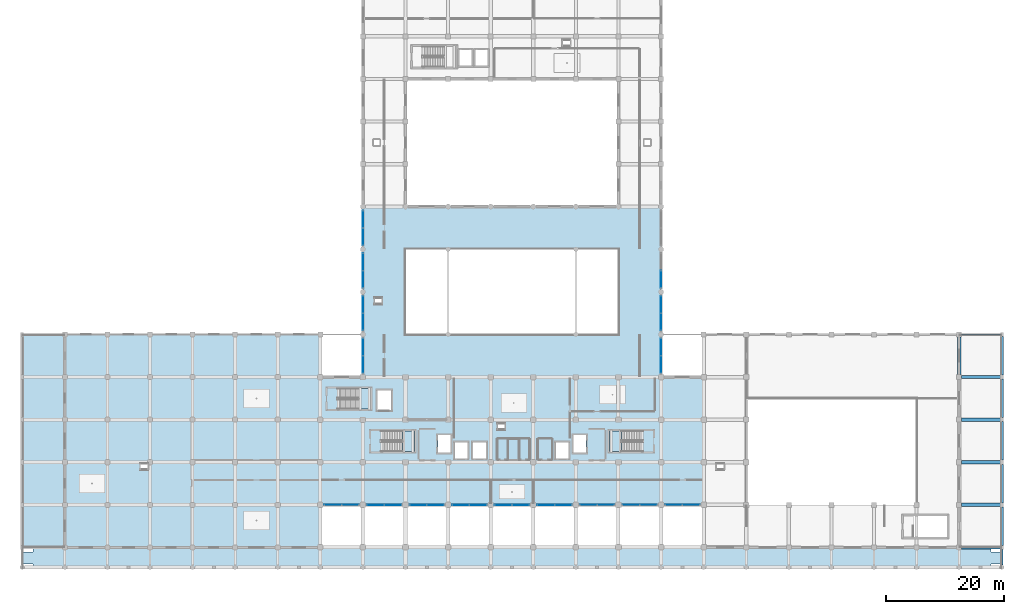
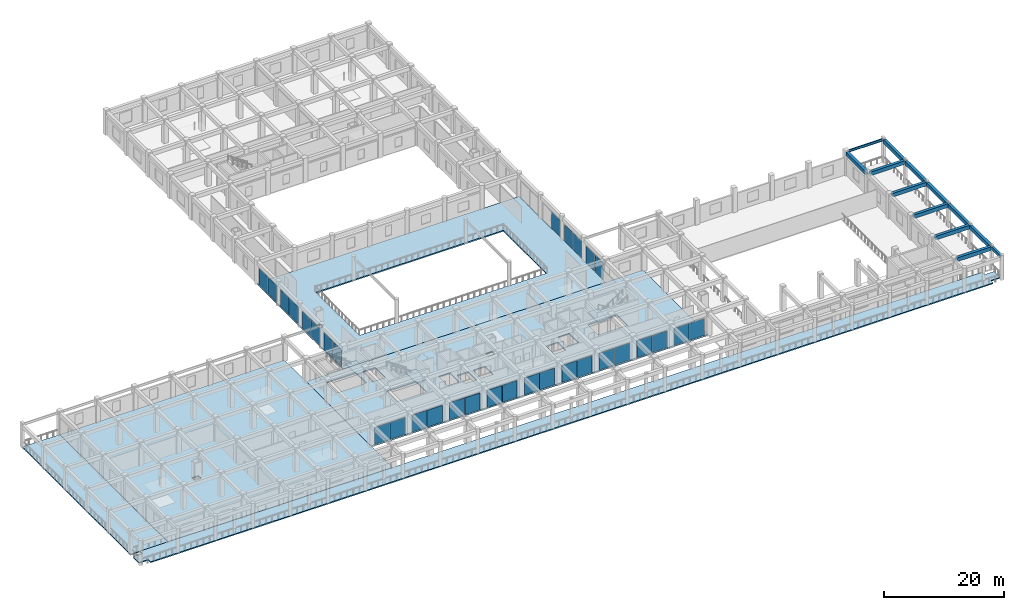
# One storey, part 27 of 54: 31 plates, 13 beams, 8 slabs, 19 elements without a shape of their own.
"""IFC4 building model written with IfcOpenShell, lengths in metres."""

from ifc_helpers import new_model, si_unit, direction, frame, origin, origin_2d, place, context, subcontext, project, spatial, polyline, rectangle, i_section, outline, extrude, material, layer, layer_set, material_profile, profile_set, type_object, element, aggregate, save


model = new_model("IFC4")

# Units and contexts
model_context = context("Model", 3, precision=1e-05, world=origin(), true_north=direction((0.0, 1.0)))
body_context = subcontext(model_context, "Body", "Model", "MODEL_VIEW")
ifc_project = project(units=[si_unit("LENGTHUNIT", "METRE"), si_unit("AREAUNIT", "SQUARE_METRE"), si_unit("VOLUMEUNIT", "CUBIC_METRE"), si_unit("PLANEANGLEUNIT", "RADIAN"), si_unit("MASSUNIT", "GRAM", prefix="KILO")], contexts=[model_context])

# Site, building, storey
site_placement = place(None, origin())
site = spatial("IfcSite", under=ifc_project, at=site_placement, CompositionType="ELEMENT")
building_placement = place(site_placement, origin())
building = spatial("IfcBuilding", under=site, at=building_placement, Name="Kazehaya Institute of Natural Sciences", CompositionType="ELEMENT")
storey_placement = place(building_placement, frame((0.0, 0.0, 5.39990234375)))
storey = spatial("IfcBuildingStorey", under=building, at=storey_placement, Name="L01", CompositionType="ELEMENT", Elevation=5.39990234375)

# Beams
ifc_material_1 = material(Name="Concrete Fc36", Category="concrete")
ifc_material_profile_1 = material_profile(ifc_material_1, rectangle(XDim=0.39990234375, YDim=0.60009765625, at=origin_2d()), Name="RC-400x600")
ifc_profile_set_1 = profile_set([ifc_material_profile_1], Name="Concrete Fc36")
beam_type_1 = type_object("IfcBeamType", Name="BM-B-400x600", PredefinedType="BEAM", material=ifc_profile_set_1)
beam_1_placement = place(storey_placement, frame((169.800048828125, 3.824951171875, 4.47021484375), z_axis=(0.0, 1.0, 0.0), x_axis=(-1.0, 0.0, 0.0)))
element("IfcBeam", 1, at=beam_1_placement, inside=storey, type_object=beam_type_1, Name="L01 primary Y girder BMY-L01-1698-34", PredefinedType="BEAM", context=body_context, shape_type="SweptSolid", body=[
    extrude(rectangle(XDim=0.39990234375, YDim=0.60009765625, at=origin_2d()), origin(), (0.0, 0.0, 1.0), 2.625),
])
ifc_material_profile_2 = material_profile(ifc_material_1, rectangle(XDim=0.550048828125, YDim=0.75, at=origin_2d()), Name="RC-550x750")
ifc_profile_set_2 = profile_set([ifc_material_profile_2], Name="Concrete Fc36")
beam_type_2 = type_object("IfcBeamType", Name="BM-G-550x750", PredefinedType="BEAM", material=ifc_profile_set_2)
for number, where, z_axis, x_axis, name in (
    (2, (163.02490234375, 6.800048828125, 4.39501953125), (1.0, 0.0, 0.0), (0.0, 1.0, 0.0), "L01 primary X girder BMX-L01-1626-68"),
    (3, (163.02490234375, 14.0, 4.39501953125), (1.0, 0.0, 0.0), (0.0, 1.0, 0.0), "L01 primary X girder BMX-L01-1626-140"),
    (4, (163.02490234375, 21.199951171875, 4.39501953125), (1.0, 0.0, 0.0), (0.0, 1.0, 0.0), "L01 primary X girder BMX-L01-1626-212"),
    (5, (163.02490234375, 28.39990234375, 4.39501953125), (1.0, 0.0, 0.0), (0.0, 1.0, 0.0), "L01 primary X girder BMX-L01-1626-284"),
    (6, (163.02490234375, 35.60009765625, 4.39501953125), (1.0, 0.0, 0.0), (0.0, 1.0, 0.0), "L01 primary X girder BMX-L01-1626-356"),
):
    element("IfcBeam", number, at=place(storey_placement, frame(where, z_axis=z_axis, x_axis=x_axis)), inside=storey, type_object=beam_type_2, Name=name, PredefinedType="BEAM", context=body_context, shape_type="SweptSolid", body=[
        extrude(rectangle(XDim=0.550048828125, YDim=0.75, at=origin_2d()), origin(), (0.0, 0.0, 1.0), 6.525146484375),
    ])
beam_2_placement = place(storey_placement, frame((162.60009765625, 36.02490234375, 4.39501953125), z_axis=(0.0, 1.0, 0.0), x_axis=(-1.0, 0.0, 0.0)))
element("IfcBeam", 7, at=beam_2_placement, inside=storey, type_object=beam_type_2, Name="L01 primary Y girder BMY-L01-1626-356", PredefinedType="BEAM", context=body_context, shape_type="SweptSolid", body=[
    extrude(rectangle(XDim=0.550048828125, YDim=0.75, at=origin_2d()), origin(), (0.0, 0.0, 1.0), 6.35009765625),
])
for number, where, z_axis, x_axis, name in (
    (8, (169.800048828125, 7.14990234375, 4.39501953125), (0.0, 1.0, 0.0), (-1.0, 0.0, 0.0), "L01 primary Y girder BMY-L01-1698-68"),
    (9, (169.800048828125, 14.35009765625, 4.39501953125), (0.0, 1.0, 0.0), (-1.0, 0.0, 0.0), "L01 primary Y girder BMY-L01-1698-140"),
    (10, (169.800048828125, 21.550048828125, 4.39501953125), (0.0, 1.0, 0.0), (-1.0, 0.0, 0.0), "L01 primary Y girder BMY-L01-1698-212"),
    (11, (169.800048828125, 28.75, 4.39501953125), (0.0, 1.0, 0.0), (-1.0, 0.0, 0.0), "L01 primary Y girder BMY-L01-1698-284"),
    (12, (169.800048828125, 35.949951171875, 4.39501953125), (0.0, 1.0, 0.0), (-1.0, 0.0, 0.0), "L01 primary Y girder BMY-L01-1698-356"),
):
    element("IfcBeam", number, at=place(storey_placement, frame(where, z_axis=z_axis, x_axis=x_axis)), inside=storey, type_object=beam_type_2, Name=name, PredefinedType="BEAM", context=body_context, shape_type="SweptSolid", body=[
        extrude(rectangle(XDim=0.550048828125, YDim=0.75, at=origin_2d()), origin(), (0.0, 0.0, 1.0), 6.5),
    ])
ifc_material_2 = material(Name="Structural steel SN490B", Category="steel")
ifc_material_profile_3 = material_profile(ifc_material_2, i_section(OverallWidth=0.199951171875, OverallDepth=0.5, WebThickness=0.010009765625, FlangeThickness=0.01611328125, FilletRadius=0.01611328125, at=origin_2d()), Name="H-500x200x10x16")
ifc_profile_set_3 = profile_set([ifc_material_profile_3], Name="Structural steel SN490B")
beam_type_3 = type_object("IfcBeamType", Name="BM-STL-H500", PredefinedType="BEAM", material=ifc_profile_set_3)
beam_3_placement = place(storey_placement, frame((163.02490234375, 42.800048828125, 4.52001953125), z_axis=(1.0, 0.0, 0.0), x_axis=(0.0, 1.0, 0.0)))
element("IfcBeam", 13, at=beam_3_placement, inside=storey, type_object=beam_type_3, Name="L01 primary X girder BMX-L01-1626-428", PredefinedType="BEAM", context=body_context, shape_type="SweptSolid", body=[
    extrude(i_section(OverallWidth=0.199951171875, OverallDepth=0.5, WebThickness=0.010009765625, FlangeThickness=0.01611328125, FilletRadius=0.01611328125, at=origin_2d()), origin(), (0.0, 0.0, 1.0), 6.525146484375),
])

# Curtain wall, plates
ifc_material_3 = material(Name="Aluminium alloy A6063S-T5", Category="aluminium")
curtain_wall_type = type_object("IfcCurtainWallType", Name="CW-SYS-02", PredefinedType="NOTDEFINED", material=ifc_material_3)
curtain_wall_1_placement = place(storey_placement, origin())
curtain_wall_1 = element("IfcCurtainWall", 14, at=curtain_wall_1_placement, inside=storey, type_object=curtain_wall_type, Name="L01 unitised curtain wall CW-L01-039", PredefinedType="NOTDEFINED")
ifc_material_4 = material(Name="Low-E double-glazed vision glass", Category="glass")
ifc_layer_1 = layer(ifc_material_4, 0.030029296875, Name="Low-E double-glazed vision glass", Category="glass")
ifc_layer_set_1 = layer_set([ifc_layer_1], Name="Low-E double-glazed vision glass")
plate_type_1 = type_object("IfcPlateType", Name="CWP-01", PredefinedType="CURTAIN_PANEL", material=ifc_layer_set_1)
plate_1_placement = place(storey_placement, frame((117.264892578125, 14.0, 0.06005859375), z_axis=(0.0, 0.0, 1.0), x_axis=(-1.0, 0.0, 0.0)))
plate_1 = element("IfcPlate", 15, at=plate_1_placement, type_object=plate_type_1, Name="CW02 panel 1.1", PredefinedType="CURTAIN_PANEL", context=body_context, shape_type="SweptSolid", body=[
    extrude(rectangle(XDim=2.8701171875, YDim=0.030029296875, at=origin_2d()), origin(), (0.0, 0.0, 1.0), 3.419921875),
])
plate_2_placement = place(storey_placement, frame((114.3349609375, 14.0, 0.06005859375), z_axis=(0.0, 0.0, 1.0), x_axis=(-1.0, 0.0, 0.0)))
plate_2 = element("IfcPlate", 16, at=plate_2_placement, type_object=plate_type_1, Name="CW02 panel 2.1", PredefinedType="CURTAIN_PANEL", context=body_context, shape_type="SweptSolid", body=[
    extrude(rectangle(XDim=2.8701171875, YDim=0.030029296875, at=origin_2d()), origin(), (0.0, 0.0, 1.0), 3.419921875),
])
aggregate(curtain_wall_1, [plate_1, plate_2])

curtain_wall_2_placement = place(storey_placement, origin())
curtain_wall_2 = element("IfcCurtainWall", 17, at=curtain_wall_2_placement, inside=storey, type_object=curtain_wall_type, Name="L01 unitised curtain wall CW-L01-047", PredefinedType="NOTDEFINED")
plate_3_placement = place(storey_placement, frame((59.6650390625, 14.0, 0.06005859375), z_axis=(0.0, 0.0, 1.0), x_axis=(-1.0, 0.0, 0.0)))
plate_3 = element("IfcPlate", 18, at=plate_3_placement, type_object=plate_type_1, Name="CW02 panel 1.1", PredefinedType="CURTAIN_PANEL", context=body_context, shape_type="SweptSolid", body=[
    extrude(rectangle(XDim=2.8701171875, YDim=0.030029296875, at=origin_2d()), origin(), (0.0, 0.0, 1.0), 3.419921875),
])
plate_4_placement = place(storey_placement, frame((56.735107421875, 14.0, 0.06005859375), z_axis=(0.0, 0.0, 1.0), x_axis=(-1.0, 0.0, 0.0)))
plate_4 = element("IfcPlate", 19, at=plate_4_placement, type_object=plate_type_1, Name="CW02 panel 2.1", PredefinedType="CURTAIN_PANEL", context=body_context, shape_type="SweptSolid", body=[
    extrude(rectangle(XDim=2.8701171875, YDim=0.030029296875, at=origin_2d()), origin(), (0.0, 0.0, 1.0), 3.419921875),
])
aggregate(curtain_wall_2, [plate_3, plate_4])

curtain_wall_3_placement = place(storey_placement, origin())
curtain_wall_3 = element("IfcCurtainWall", 20, at=curtain_wall_3_placement, inside=storey, type_object=curtain_wall_type, Name="L01 unitised curtain wall CW-L01-015", PredefinedType="NOTDEFINED")
ifc_layer_2 = layer(ifc_material_4, 0.0400390625, Name="Low-E double-glazed vision glass", Category="glass")
ifc_layer_set_2 = layer_set([ifc_layer_2], Name="Low-E double-glazed vision glass")
plate_type_2 = type_object("IfcPlateType", Name="CWP-02", PredefinedType="CURTAIN_PANEL", material=ifc_layer_set_2)
plate_5_placement = place(storey_placement, frame((61.800048828125, 37.735107421875, 0.06005859375), z_axis=(0.0, 0.0, 1.0), x_axis=(0.0, 1.0, 0.0)))
plate_5 = element("IfcPlate", 21, at=plate_5_placement, type_object=plate_type_2, Name="CW02 panel 1.1", PredefinedType="CURTAIN_PANEL", context=body_context, shape_type="SweptSolid", body=[
    extrude(rectangle(XDim=2.8701171875, YDim=0.0400390625, at=origin_2d()), origin(), (0.0, 0.0, 1.0), 3.419921875),
])
plate_6_placement = place(storey_placement, frame((61.800048828125, 40.6650390625, 0.06005859375), z_axis=(0.0, 0.0, 1.0), x_axis=(0.0, 1.0, 0.0)))
plate_6 = element("IfcPlate", 22, at=plate_6_placement, type_object=plate_type_2, Name="CW02 panel 2.1", PredefinedType="CURTAIN_PANEL", context=body_context, shape_type="SweptSolid", body=[
    extrude(rectangle(XDim=2.8701171875, YDim=0.0400390625, at=origin_2d()), origin(), (0.0, 0.0, 1.0), 3.419921875),
])
aggregate(curtain_wall_3, [plate_5, plate_6])

curtain_wall_4_placement = place(storey_placement, origin())
curtain_wall_4 = element("IfcCurtainWall", 23, at=curtain_wall_4_placement, inside=storey, type_object=curtain_wall_type, Name="L01 unitised curtain wall CW-L01-040", PredefinedType="NOTDEFINED")
plate_7_placement = place(storey_placement, frame((110.06494140625, 14.0, 0.06005859375), z_axis=(0.0, 0.0, 1.0), x_axis=(-1.0, 0.0, 0.0)))
plate_7 = element("IfcPlate", 24, at=plate_7_placement, type_object=plate_type_2, Name="CW02 panel 1.1", PredefinedType="CURTAIN_PANEL", context=body_context, shape_type="SweptSolid", body=[
    extrude(rectangle(XDim=2.8701171875, YDim=0.0400390625, at=origin_2d()), origin(), (0.0, 0.0, 1.0), 3.419921875),
])
plate_8_placement = place(storey_placement, frame((107.135009765625, 14.0, 0.06005859375), z_axis=(0.0, 0.0, 1.0), x_axis=(-1.0, 0.0, 0.0)))
plate_8 = element("IfcPlate", 25, at=plate_8_placement, type_object=plate_type_2, Name="CW02 panel 2.1", PredefinedType="CURTAIN_PANEL", context=body_context, shape_type="SweptSolid", body=[
    extrude(rectangle(XDim=2.8701171875, YDim=0.0400390625, at=origin_2d()), origin(), (0.0, 0.0, 1.0), 3.419921875),
])
aggregate(curtain_wall_4, [plate_7, plate_8])

curtain_wall_5_placement = place(storey_placement, origin())
curtain_wall_5 = element("IfcCurtainWall", 26, at=curtain_wall_5_placement, inside=storey, type_object=curtain_wall_type, Name="L01 unitised curtain wall CW-L01-016", PredefinedType="NOTDEFINED")
ifc_layer_3 = layer(ifc_material_4, 0.050048828125, Name="Low-E double-glazed vision glass", Category="glass")
ifc_layer_set_3 = layer_set([ifc_layer_3], Name="Low-E double-glazed vision glass")
plate_type_3 = type_object("IfcPlateType", Name="CWP-03", PredefinedType="CURTAIN_PANEL", material=ifc_layer_set_3)
plate_9_placement = place(storey_placement, frame((112.199951171875, 40.6650390625, 0.06005859375), z_axis=(0.0, 0.0, 1.0), x_axis=(0.0, -1.0, 0.0)))
plate_9 = element("IfcPlate", 27, at=plate_9_placement, type_object=plate_type_3, Name="CW02 panel 1.1", PredefinedType="CURTAIN_PANEL", context=body_context, shape_type="SweptSolid", body=[
    extrude(rectangle(XDim=2.8701171875, YDim=0.050048828125, at=origin_2d()), origin(), (0.0, 0.0, 1.0), 3.419921875),
])
plate_10_placement = place(storey_placement, frame((112.199951171875, 37.735107421875, 0.06005859375), z_axis=(0.0, 0.0, 1.0), x_axis=(0.0, -1.0, 0.0)))
plate_10 = element("IfcPlate", 28, at=plate_10_placement, type_object=plate_type_3, Name="CW02 panel 2.1", PredefinedType="CURTAIN_PANEL", context=body_context, shape_type="SweptSolid", body=[
    extrude(rectangle(XDim=2.8701171875, YDim=0.050048828125, at=origin_2d()), origin(), (0.0, 0.0, 1.0), 3.419921875),
])
aggregate(curtain_wall_5, [plate_9, plate_10])

curtain_wall_6_placement = place(storey_placement, origin())
curtain_wall_6 = element("IfcCurtainWall", 29, at=curtain_wall_6_placement, inside=storey, type_object=curtain_wall_type, Name="L01 unitised curtain wall CW-L01-017", PredefinedType="NOTDEFINED")
plate_11_placement = place(storey_placement, frame((61.800048828125, 44.93505859375, 0.06005859375), z_axis=(0.0, 0.0, 1.0), x_axis=(0.0, 1.0, 0.0)))
plate_11 = element("IfcPlate", 30, at=plate_11_placement, type_object=plate_type_3, Name="CW02 panel 1.1", PredefinedType="CURTAIN_PANEL", context=body_context, shape_type="SweptSolid", body=[
    extrude(rectangle(XDim=2.8701171875, YDim=0.050048828125, at=origin_2d()), origin(), (0.0, 0.0, 1.0), 3.419921875),
])
plate_12_placement = place(storey_placement, frame((61.800048828125, 47.864990234375, 0.06005859375), z_axis=(0.0, 0.0, 1.0), x_axis=(0.0, 1.0, 0.0)))
plate_12 = element("IfcPlate", 31, at=plate_12_placement, type_object=plate_type_3, Name="CW02 panel 2.1", PredefinedType="CURTAIN_PANEL", context=body_context, shape_type="SweptSolid", body=[
    extrude(rectangle(XDim=2.8701171875, YDim=0.050048828125, at=origin_2d()), origin(), (0.0, 0.0, 1.0), 3.419921875),
])
aggregate(curtain_wall_6, [plate_11, plate_12])

curtain_wall_7_placement = place(storey_placement, origin())
curtain_wall_7 = element("IfcCurtainWall", 32, at=curtain_wall_7_placement, inside=storey, type_object=curtain_wall_type, Name="L01 unitised curtain wall CW-L01-041", PredefinedType="NOTDEFINED")
plate_13_placement = place(storey_placement, frame((102.864990234375, 14.0, 0.06005859375), z_axis=(0.0, 0.0, 1.0), x_axis=(-1.0, 0.0, 0.0)))
plate_13 = element("IfcPlate", 33, at=plate_13_placement, type_object=plate_type_3, Name="CW02 panel 1.1", PredefinedType="CURTAIN_PANEL", context=body_context, shape_type="SweptSolid", body=[
    extrude(rectangle(XDim=2.8701171875, YDim=0.050048828125, at=origin_2d()), origin(), (0.0, 0.0, 1.0), 3.419921875),
])
plate_14_placement = place(storey_placement, frame((99.93505859375, 14.0, 0.06005859375), z_axis=(0.0, 0.0, 1.0), x_axis=(-1.0, 0.0, 0.0)))
plate_14 = element("IfcPlate", 34, at=plate_14_placement, type_object=plate_type_3, Name="CW02 panel 2.1", PredefinedType="CURTAIN_PANEL", context=body_context, shape_type="SweptSolid", body=[
    extrude(rectangle(XDim=2.8701171875, YDim=0.050048828125, at=origin_2d()), origin(), (0.0, 0.0, 1.0), 3.419921875),
])
aggregate(curtain_wall_7, [plate_13, plate_14])

curtain_wall_8_placement = place(storey_placement, origin())
curtain_wall_8 = element("IfcCurtainWall", 35, at=curtain_wall_8_placement, inside=storey, type_object=curtain_wall_type, Name="L01 unitised curtain wall CW-L01-018", PredefinedType="NOTDEFINED")
ifc_layer_4 = layer(ifc_material_4, 0.06005859375, Name="Low-E double-glazed vision glass", Category="glass")
ifc_layer_set_4 = layer_set([ifc_layer_4], Name="Low-E double-glazed vision glass")
plate_type_4 = type_object("IfcPlateType", Name="CWP-04", PredefinedType="CURTAIN_PANEL", material=ifc_layer_set_4)
plate_15_placement = place(storey_placement, frame((112.199951171875, 47.864990234375, 0.06005859375), z_axis=(0.0, 0.0, 1.0), x_axis=(0.0, -1.0, 0.0)))
plate_15 = element("IfcPlate", 36, at=plate_15_placement, type_object=plate_type_4, Name="CW02 panel 1.1", PredefinedType="CURTAIN_PANEL", context=body_context, shape_type="SweptSolid", body=[
    extrude(rectangle(XDim=2.8701171875, YDim=0.06005859375, at=origin_2d()), origin(), (0.0, 0.0, 1.0), 3.419921875),
])
plate_16_placement = place(storey_placement, frame((112.199951171875, 44.93505859375, 0.06005859375), z_axis=(0.0, 0.0, 1.0), x_axis=(0.0, -1.0, 0.0)))
plate_16 = element("IfcPlate", 37, at=plate_16_placement, type_object=plate_type_4, Name="CW02 panel 2.1", PredefinedType="CURTAIN_PANEL", context=body_context, shape_type="SweptSolid", body=[
    extrude(rectangle(XDim=2.8701171875, YDim=0.06005859375, at=origin_2d()), origin(), (0.0, 0.0, 1.0), 3.419921875),
])
aggregate(curtain_wall_8, [plate_15, plate_16])

curtain_wall_9_placement = place(storey_placement, origin())
curtain_wall_9 = element("IfcCurtainWall", 38, at=curtain_wall_9_placement, inside=storey, type_object=curtain_wall_type, Name="L01 unitised curtain wall CW-L01-019", PredefinedType="NOTDEFINED")
plate_17_placement = place(storey_placement, frame((61.800048828125, 52.135009765625, 0.06005859375), z_axis=(0.0, 0.0, 1.0), x_axis=(0.0, 1.0, 0.0)))
plate_17 = element("IfcPlate", 39, at=plate_17_placement, type_object=plate_type_4, Name="CW02 panel 1.1", PredefinedType="CURTAIN_PANEL", context=body_context, shape_type="SweptSolid", body=[
    extrude(rectangle(XDim=2.8701171875, YDim=0.06005859375, at=origin_2d()), origin(), (0.0, 0.0, 1.0), 3.419921875),
])
plate_18_placement = place(storey_placement, frame((61.800048828125, 55.06494140625, 0.06005859375), z_axis=(0.0, 0.0, 1.0), x_axis=(0.0, 1.0, 0.0)))
plate_18 = element("IfcPlate", 40, at=plate_18_placement, type_object=plate_type_4, Name="CW02 panel 2.1", PredefinedType="CURTAIN_PANEL", context=body_context, shape_type="SweptSolid", body=[
    extrude(rectangle(XDim=2.8701171875, YDim=0.06005859375, at=origin_2d()), origin(), (0.0, 0.0, 1.0), 3.419921875),
])
aggregate(curtain_wall_9, [plate_17, plate_18])

curtain_wall_10_placement = place(storey_placement, origin())
curtain_wall_10 = element("IfcCurtainWall", 41, at=curtain_wall_10_placement, inside=storey, type_object=curtain_wall_type, Name="L01 unitised curtain wall CW-L01-042", PredefinedType="NOTDEFINED")
plate_19_placement = place(storey_placement, frame((95.6650390625, 14.0, 0.06005859375), z_axis=(0.0, 0.0, 1.0), x_axis=(-1.0, 0.0, 0.0)))
plate_19 = element("IfcPlate", 42, at=plate_19_placement, type_object=plate_type_4, Name="CW02 panel 1.1", PredefinedType="CURTAIN_PANEL", context=body_context, shape_type="SweptSolid", body=[
    extrude(rectangle(XDim=2.8701171875, YDim=0.06005859375, at=origin_2d()), origin(), (0.0, 0.0, 1.0), 3.419921875),
])
plate_20_placement = place(storey_placement, frame((92.735107421875, 14.0, 0.06005859375), z_axis=(0.0, 0.0, 1.0), x_axis=(-1.0, 0.0, 0.0)))
plate_20 = element("IfcPlate", 43, at=plate_20_placement, type_object=plate_type_4, Name="CW02 panel 2.1", PredefinedType="CURTAIN_PANEL", context=body_context, shape_type="SweptSolid", body=[
    extrude(rectangle(XDim=2.8701171875, YDim=0.06005859375, at=origin_2d()), origin(), (0.0, 0.0, 1.0), 3.419921875),
])
aggregate(curtain_wall_10, [plate_19, plate_20])

# Curtain wall, plate
curtain_wall_11_placement = place(storey_placement, origin())
curtain_wall_11 = element("IfcCurtainWall", 44, at=curtain_wall_11_placement, inside=storey, type_object=curtain_wall_type, Name="L01 unitised curtain wall CW-L01-020", PredefinedType="NOTDEFINED")
ifc_material_5 = material(Name="Insulated bronze aluminium spandrel panel", Category="aluminium")
ifc_layer_5 = layer(ifc_material_5, 0.070068359375, Name="Insulated bronze aluminium spandrel panel", Category="aluminium")
ifc_layer_set_5 = layer_set([ifc_layer_5], Name="Insulated bronze aluminium spandrel panel")
plate_type_5 = type_object("IfcPlateType", Name="CWP-05", PredefinedType="CURTAIN_PANEL", material=ifc_layer_set_5)
plate_21_placement = place(storey_placement, frame((112.199951171875, 52.135009765625, 0.06005859375), z_axis=(0.0, 0.0, 1.0), x_axis=(0.0, -1.0, 0.0)))
plate_21 = element("IfcPlate", 45, at=plate_21_placement, type_object=plate_type_5, Name="CW02 panel 2.1", PredefinedType="CURTAIN_PANEL", context=body_context, shape_type="SweptSolid", body=[
    extrude(rectangle(XDim=2.8701171875, YDim=0.070068359375, at=origin_2d()), origin(), (0.0, 0.0, 1.0), 3.419921875),
])
aggregate(curtain_wall_11, [plate_21])

# Curtain wall, plates
curtain_wall_12_placement = place(storey_placement, origin())
curtain_wall_12 = element("IfcCurtainWall", 46, at=curtain_wall_12_placement, inside=storey, type_object=curtain_wall_type, Name="L01 unitised curtain wall CW-L01-021", PredefinedType="NOTDEFINED")
plate_22_placement = place(storey_placement, frame((61.800048828125, 59.3349609375, 0.06005859375), z_axis=(0.0, 0.0, 1.0), x_axis=(0.0, 1.0, 0.0)))
plate_22 = element("IfcPlate", 47, at=plate_22_placement, type_object=plate_type_5, Name="CW02 panel 1.1", PredefinedType="CURTAIN_PANEL", context=body_context, shape_type="SweptSolid", body=[
    extrude(rectangle(XDim=2.8701171875, YDim=0.070068359375, at=origin_2d()), origin(), (0.0, 0.0, 1.0), 3.419921875),
])
plate_23_placement = place(storey_placement, frame((61.800048828125, 62.264892578125, 0.06005859375), z_axis=(0.0, 0.0, 1.0), x_axis=(0.0, 1.0, 0.0)))
plate_23 = element("IfcPlate", 48, at=plate_23_placement, type_object=plate_type_5, Name="CW02 panel 2.1", PredefinedType="CURTAIN_PANEL", context=body_context, shape_type="SweptSolid", body=[
    extrude(rectangle(XDim=2.8701171875, YDim=0.070068359375, at=origin_2d()), origin(), (0.0, 0.0, 1.0), 3.419921875),
])
aggregate(curtain_wall_12, [plate_22, plate_23])

curtain_wall_13_placement = place(storey_placement, origin())
curtain_wall_13 = element("IfcCurtainWall", 49, at=curtain_wall_13_placement, inside=storey, type_object=curtain_wall_type, Name="L01 unitised curtain wall CW-L01-043", PredefinedType="NOTDEFINED")
plate_24_placement = place(storey_placement, frame((88.465087890625, 14.0, 0.06005859375), z_axis=(0.0, 0.0, 1.0), x_axis=(-1.0, 0.0, 0.0)))
plate_24 = element("IfcPlate", 50, at=plate_24_placement, type_object=plate_type_5, Name="CW02 panel 1.1", PredefinedType="CURTAIN_PANEL", context=body_context, shape_type="SweptSolid", body=[
    extrude(rectangle(XDim=2.8701171875, YDim=0.070068359375, at=origin_2d()), origin(), (0.0, 0.0, 1.0), 3.419921875),
])
plate_25_placement = place(storey_placement, frame((85.534912109375, 14.0, 0.06005859375), z_axis=(0.0, 0.0, 1.0), x_axis=(-1.0, 0.0, 0.0)))
plate_25 = element("IfcPlate", 51, at=plate_25_placement, type_object=plate_type_5, Name="CW02 panel 2.1", PredefinedType="CURTAIN_PANEL", context=body_context, shape_type="SweptSolid", body=[
    extrude(rectangle(XDim=2.8701171875, YDim=0.070068359375, at=origin_2d()), origin(), (0.0, 0.0, 1.0), 3.419921875),
])
aggregate(curtain_wall_13, [plate_24, plate_25])

curtain_wall_14_placement = place(storey_placement, origin())
curtain_wall_14 = element("IfcCurtainWall", 52, at=curtain_wall_14_placement, inside=storey, type_object=curtain_wall_type, Name="L01 unitised curtain wall CW-L01-044", PredefinedType="NOTDEFINED")
ifc_layer_6 = layer(ifc_material_5, 0.080078125, Name="Insulated bronze aluminium spandrel panel", Category="aluminium")
ifc_layer_set_6 = layer_set([ifc_layer_6], Name="Insulated bronze aluminium spandrel panel")
plate_type_6 = type_object("IfcPlateType", Name="CWP-06", PredefinedType="CURTAIN_PANEL", material=ifc_layer_set_6)
plate_26_placement = place(storey_placement, frame((81.264892578125, 14.0, 0.06005859375), z_axis=(0.0, 0.0, 1.0), x_axis=(-1.0, 0.0, 0.0)))
plate_26 = element("IfcPlate", 53, at=plate_26_placement, type_object=plate_type_6, Name="CW02 panel 1.1", PredefinedType="CURTAIN_PANEL", context=body_context, shape_type="SweptSolid", body=[
    extrude(rectangle(XDim=2.8701171875, YDim=0.080078125, at=origin_2d()), origin(), (0.0, 0.0, 1.0), 3.419921875),
])
plate_27_placement = place(storey_placement, frame((78.3349609375, 14.0, 0.06005859375), z_axis=(0.0, 0.0, 1.0), x_axis=(-1.0, 0.0, 0.0)))
plate_27 = element("IfcPlate", 54, at=plate_27_placement, type_object=plate_type_6, Name="CW02 panel 2.1", PredefinedType="CURTAIN_PANEL", context=body_context, shape_type="SweptSolid", body=[
    extrude(rectangle(XDim=2.8701171875, YDim=0.080078125, at=origin_2d()), origin(), (0.0, 0.0, 1.0), 3.419921875),
])
aggregate(curtain_wall_14, [plate_26, plate_27])

curtain_wall_15_placement = place(storey_placement, origin())
curtain_wall_15 = element("IfcCurtainWall", 55, at=curtain_wall_15_placement, inside=storey, type_object=curtain_wall_type, Name="L01 unitised curtain wall CW-L01-045", PredefinedType="NOTDEFINED")
ifc_layer_7 = layer(ifc_material_5, 0.090087890625, Name="Insulated bronze aluminium spandrel panel", Category="aluminium")
ifc_layer_set_7 = layer_set([ifc_layer_7], Name="Insulated bronze aluminium spandrel panel")
plate_type_7 = type_object("IfcPlateType", Name="CWP-07", PredefinedType="CURTAIN_PANEL", material=ifc_layer_set_7)
plate_28_placement = place(storey_placement, frame((74.06494140625, 14.0, 0.06005859375), z_axis=(0.0, 0.0, 1.0), x_axis=(-1.0, 0.0, 0.0)))
plate_28 = element("IfcPlate", 56, at=plate_28_placement, type_object=plate_type_7, Name="CW02 panel 1.1", PredefinedType="CURTAIN_PANEL", context=body_context, shape_type="SweptSolid", body=[
    extrude(rectangle(XDim=2.8701171875, YDim=0.090087890625, at=origin_2d()), origin(), (0.0, 0.0, 1.0), 3.419921875),
])
plate_29_placement = place(storey_placement, frame((71.135009765625, 14.0, 0.06005859375), z_axis=(0.0, 0.0, 1.0), x_axis=(-1.0, 0.0, 0.0)))
plate_29 = element("IfcPlate", 57, at=plate_29_placement, type_object=plate_type_7, Name="CW02 panel 2.1", PredefinedType="CURTAIN_PANEL", context=body_context, shape_type="SweptSolid", body=[
    extrude(rectangle(XDim=2.8701171875, YDim=0.090087890625, at=origin_2d()), origin(), (0.0, 0.0, 1.0), 3.419921875),
])
aggregate(curtain_wall_15, [plate_28, plate_29])

curtain_wall_16_placement = place(storey_placement, origin())
curtain_wall_16 = element("IfcCurtainWall", 58, at=curtain_wall_16_placement, inside=storey, type_object=curtain_wall_type, Name="L01 unitised curtain wall CW-L01-046", PredefinedType="NOTDEFINED")
ifc_layer_8 = layer(ifc_material_5, 0.10009765625, Name="Insulated bronze aluminium spandrel panel", Category="aluminium")
ifc_layer_set_8 = layer_set([ifc_layer_8], Name="Insulated bronze aluminium spandrel panel")
plate_type_8 = type_object("IfcPlateType", Name="CWP-08", PredefinedType="CURTAIN_PANEL", material=ifc_layer_set_8)
plate_30_placement = place(storey_placement, frame((66.864990234375, 14.0, 0.06005859375), z_axis=(0.0, 0.0, 1.0), x_axis=(-1.0, 0.0, 0.0)))
plate_30 = element("IfcPlate", 59, at=plate_30_placement, type_object=plate_type_8, Name="CW02 panel 1.1", PredefinedType="CURTAIN_PANEL", context=body_context, shape_type="SweptSolid", body=[
    extrude(rectangle(XDim=2.8701171875, YDim=0.10009765625, at=origin_2d()), origin(), (0.0, 0.0, 1.0), 3.419921875),
])
plate_31_placement = place(storey_placement, frame((63.93505859375, 14.0, 0.06005859375), z_axis=(0.0, 0.0, 1.0), x_axis=(-1.0, 0.0, 0.0)))
plate_31 = element("IfcPlate", 60, at=plate_31_placement, type_object=plate_type_8, Name="CW02 panel 2.1", PredefinedType="CURTAIN_PANEL", context=body_context, shape_type="SweptSolid", body=[
    extrude(rectangle(XDim=2.8701171875, YDim=0.10009765625, at=origin_2d()), origin(), (0.0, 0.0, 1.0), 3.419921875),
])
aggregate(curtain_wall_16, [plate_30, plate_31])

# Slabs
ifc_layer_9 = layer(ifc_material_1, 0.25, Name="Concrete Fc36", Category="concrete")
ifc_layer_set_9 = layer_set([ifc_layer_9], Name="Concrete Fc36")
slab_type_1 = type_object("IfcSlabType", Name="SL-FLR-250", PredefinedType="FLOOR", material=ifc_layer_set_9)
slab_1_placement = place(storey_placement, frame((0.0, 0.0, -0.25)))
element("IfcSlab", 61, at=slab_1_placement, inside=storey, type_object=slab_type_1, Name="L01 structural slab L01-VOL4", PredefinedType="FLOOR", context=body_context, shape_type="SweptSolid", body=[
    extrude(outline(polyline([(54.60009765625, 14.0), (119.39990234375, 14.0), (119.39990234375, 35.60009765625), (54.60009765625, 35.60009765625), (54.60009765625, 14.0)]), holes=[polyline([(84.60009765625, 26.800048828125), (85.800048828125, 26.800048828125), (85.800048828125, 27.699951171875), (84.60009765625, 27.699951171875), (84.60009765625, 26.800048828125)]), polyline([(64.860107421875, 23.0), (70.5, 23.0), (70.5, 26.47998046875), (64.860107421875, 26.47998046875), (64.860107421875, 23.0)]), polyline([(103.5, 23.0), (109.139892578125, 23.0), (109.139892578125, 26.47998046875), (103.5, 26.47998046875), (103.5, 23.0)]), polyline([(57.4599609375, 30.199951171875), (63.10009765625, 30.199951171875), (63.10009765625, 33.679931640625), (57.4599609375, 33.679931640625), (57.4599609375, 30.199951171875)]), polyline([(74.449951171875, 22.800048828125), (76.64990234375, 22.800048828125), (76.64990234375, 25.800048828125), (74.449951171875, 25.800048828125), (74.449951171875, 22.800048828125)]), polyline([(97.35009765625, 22.800048828125), (99.550048828125, 22.800048828125), (99.550048828125, 25.800048828125), (97.35009765625, 25.800048828125), (97.35009765625, 22.800048828125)]), polyline([(77.300048828125, 21.85009765625), (79.5, 21.85009765625), (79.5, 24.550048828125), (77.300048828125, 24.550048828125), (77.300048828125, 21.85009765625)]), polyline([(80.39990234375, 21.85009765625), (82.60009765625, 21.85009765625), (82.60009765625, 24.550048828125), (80.39990234375, 24.550048828125), (80.39990234375, 21.85009765625)]), polyline([(94.39990234375, 21.85009765625), (96.60009765625, 21.85009765625), (96.60009765625, 24.550048828125), (94.39990234375, 24.550048828125), (94.39990234375, 21.85009765625)]), polyline([(64.199951171875, 30.0), (66.60009765625, 30.0), (66.60009765625, 33.39990234375), (64.199951171875, 33.39990234375), (64.199951171875, 30.0)])]), origin(), (0.0, 0.0, 1.0), 0.25),
])
slab_2_placement = place(storey_placement, frame((0.0, 0.0, -0.25)))
element("IfcSlab", 62, at=slab_2_placement, inside=storey, type_object=slab_type_1, Name="L01 structural slab L01-VOL2", PredefinedType="FLOOR", context=body_context, shape_type="SweptSolid", body=[
    extrude(outline(polyline([(61.800048828125, 35.60009765625), (112.199951171875, 35.60009765625), (112.199951171875, 64.39990234375), (61.800048828125, 64.39990234375), (61.800048828125, 35.60009765625)]), holes=[polyline([(63.800048828125, 48.0), (65.0, 48.0), (65.0, 48.89990234375), (63.800048828125, 48.89990234375), (63.800048828125, 48.0)]), polyline([(69.0, 42.800048828125), (105.0, 42.800048828125), (105.0, 57.199951171875), (69.0, 57.199951171875), (69.0, 42.800048828125)])]), origin(), (0.0, 0.0, 1.0), 0.25),
])
ifc_layer_10 = layer(ifc_material_1, 0.27001953125, Name="Concrete Fc36", Category="concrete")
ifc_layer_set_10 = layer_set([ifc_layer_10], Name="Concrete Fc36")
slab_type_2 = type_object("IfcSlabType", Name="SL-FLR-270", PredefinedType="FLOOR", material=ifc_layer_set_10)
slab_3_placement = place(storey_placement, frame((0.0, 0.0, -0.27001953125)))
element("IfcSlab", 63, at=slab_3_placement, inside=storey, type_object=slab_type_2, Name="L01 structural slab L01-VOL3", PredefinedType="FLOOR", context=body_context, shape_type="SweptSolid", body=[
    extrude(outline(polyline([(11.39990234375, 6.800048828125), (54.60009765625, 6.800048828125), (54.60009765625, 42.800048828125), (11.39990234375, 42.800048828125), (11.39990234375, 6.800048828125)]), holes=[polyline([(24.199951171875, 20.0), (25.39990234375, 20.0), (25.39990234375, 20.89990234375), (24.199951171875, 20.89990234375), (24.199951171875, 20.0)])]), origin(), (0.0, 0.0, 1.0), 0.27001953125),
])

# Stair, slab
stair_type = type_object("IfcStairType", Name="STR-DOG-5040", PredefinedType="HALF_TURN_STAIR", material=ifc_material_1)
stair_1_placement = place(storey_placement, origin())
stair_1 = element("IfcStair", 64, at=stair_1_placement, inside=storey, type_object=stair_type, Name="L01 Protected Escape Stair ST-1", PredefinedType="HALF_TURN_STAIR")
ifc_layer_11 = layer(ifc_material_1, 0.159912109375, Name="Concrete Fc36", Category="concrete")
ifc_layer_set_11 = layer_set([ifc_layer_11], Name="Concrete Fc36")
slab_type_3 = type_object("IfcSlabType", Name="SL-LND-160", PredefinedType="LANDING", material=ifc_layer_set_11)
slab_4_placement = place(storey_placement, frame((0.0, 0.0, 2.320068359375)))
slab_4 = element("IfcSlab", 65, at=slab_4_placement, type_object=slab_type_3, Name="ST-1 landing 1", PredefinedType="LANDING", context=body_context, shape_type="SweptSolid", body=[
    extrude(outline(polyline([(68.5, 23.0), (70.5, 23.0), (70.5, 26.47998046875), (68.5, 26.47998046875), (68.5, 23.0)])), origin(), (0.0, 0.0, 1.0), 0.199951171875),
])
aggregate(stair_1, [slab_4])

stair_2_placement = place(storey_placement, origin())
stair_2 = element("IfcStair", 66, at=stair_2_placement, inside=storey, type_object=stair_type, Name="L01 Protected Escape Stair ST-2", PredefinedType="HALF_TURN_STAIR")
slab_5_placement = place(storey_placement, frame((0.0, 0.0, 2.320068359375)))
slab_5 = element("IfcSlab", 67, at=slab_5_placement, type_object=slab_type_3, Name="ST-2 landing 1", PredefinedType="LANDING", context=body_context, shape_type="SweptSolid", body=[
    extrude(outline(polyline([(105.5, 26.47998046875), (103.5, 26.47998046875), (103.5, 23.0), (105.5, 23.0), (105.5, 26.47998046875)])), origin(), (0.0, 0.0, 1.0), 0.199951171875),
])
aggregate(stair_2, [slab_5])

stair_3_placement = place(storey_placement, origin())
stair_3 = element("IfcStair", 68, at=stair_3_placement, inside=storey, type_object=stair_type, Name="L01 Protected Escape Stair ST-4", PredefinedType="HALF_TURN_STAIR")
slab_6_placement = place(storey_placement, frame((0.0, 0.0, 2.320068359375)))
slab_6 = element("IfcSlab", 69, at=slab_6_placement, type_object=slab_type_3, Name="ST-4 landing 1", PredefinedType="LANDING", context=body_context, shape_type="SweptSolid", body=[
    extrude(outline(polyline([(61.10009765625, 30.199951171875), (63.10009765625, 30.199951171875), (63.10009765625, 33.679931640625), (61.10009765625, 33.679931640625), (61.10009765625, 30.199951171875)])), origin(), (0.0, 0.0, 1.0), 0.199951171875),
])
aggregate(stair_3, [slab_6])

# Slabs
ifc_layer_12 = layer(ifc_material_1, 0.2099609375, Name="Concrete Fc36", Category="concrete")
ifc_layer_set_12 = layer_set([ifc_layer_12], Name="Concrete Fc36")
slab_type_4 = type_object("IfcSlabType", Name="SL-TER-210", PredefinedType="FLOOR", material=ifc_layer_set_12)
slab_7_placement = place(storey_placement, frame((0.0, 0.0, -0.2099609375)))
element("IfcSlab", 70, at=slab_7_placement, inside=storey, type_object=slab_type_4, Name="L01 outdoor terrace slab EXT-L01-COLW", PredefinedType="FLOOR", context=body_context, shape_type="SweptSolid", body=[
    extrude(outline(polyline([(4.199951171875, 6.800048828125), (11.39990234375, 6.800048828125), (11.39990234375, 42.800048828125), (4.199951171875, 42.800048828125), (4.199951171875, 6.800048828125)])), origin(), (0.0, 0.0, 1.0), 0.2099609375),
])
ifc_layer_13 = layer(ifc_material_1, 0.219970703125, Name="Concrete Fc36", Category="concrete")
ifc_layer_set_13 = layer_set([ifc_layer_13], Name="Concrete Fc36")
slab_type_5 = type_object("IfcSlabType", Name="SL-TER-220", PredefinedType="FLOOR", material=ifc_layer_set_13)
slab_8_placement = place(storey_placement, frame((0.0, 0.0, -0.219970703125)))
element("IfcSlab", 71, at=slab_8_placement, inside=storey, type_object=slab_type_5, Name="L01 outdoor terrace slab EXT-L01-COLS", PredefinedType="FLOOR", context=body_context, shape_type="SweptSolid", body=[
    extrude(outline(polyline([(6.0, 3.199951171875), (168.0, 3.199951171875), (168.0, 4.0), (169.800048828125, 4.0), (169.800048828125, 6.0), (168.0, 6.0), (168.0, 6.800048828125), (6.0, 6.800048828125), (6.0, 6.0), (4.199951171875, 6.0), (4.199951171875, 4.0), (6.0, 4.0), (6.0, 3.199951171875)])), origin(), (0.0, 0.0, 1.0), 0.219970703125),
])

save(model, "model.ifc")
